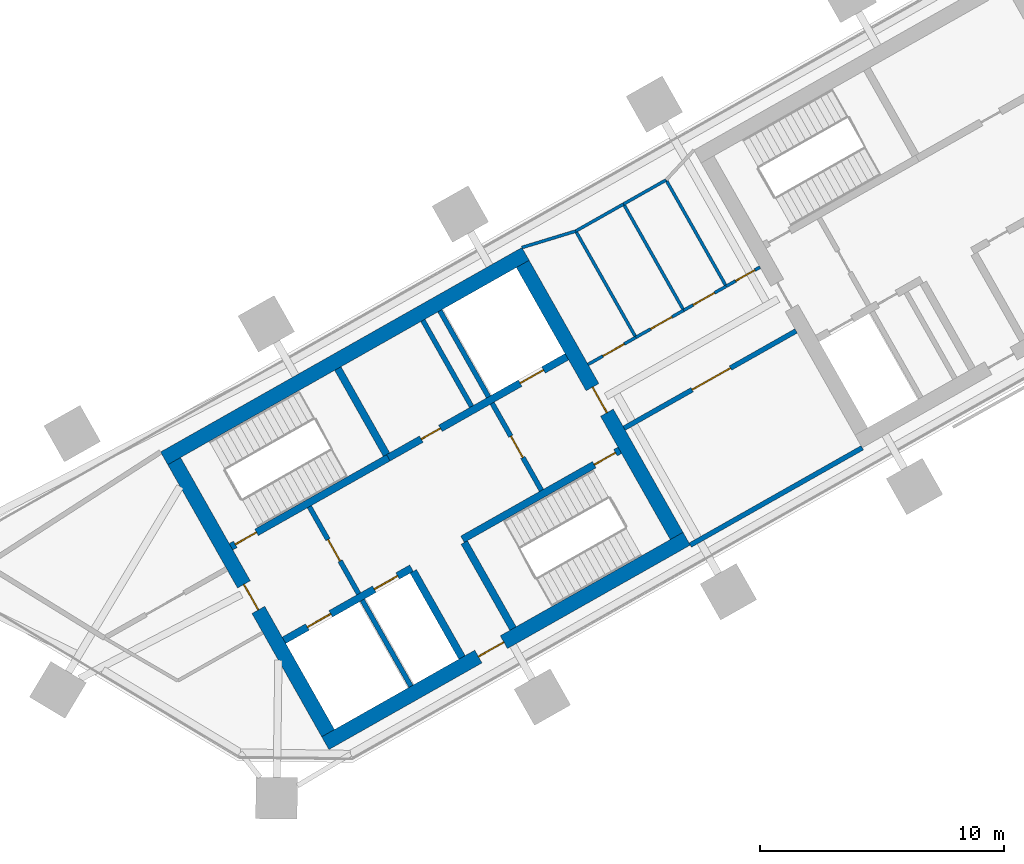
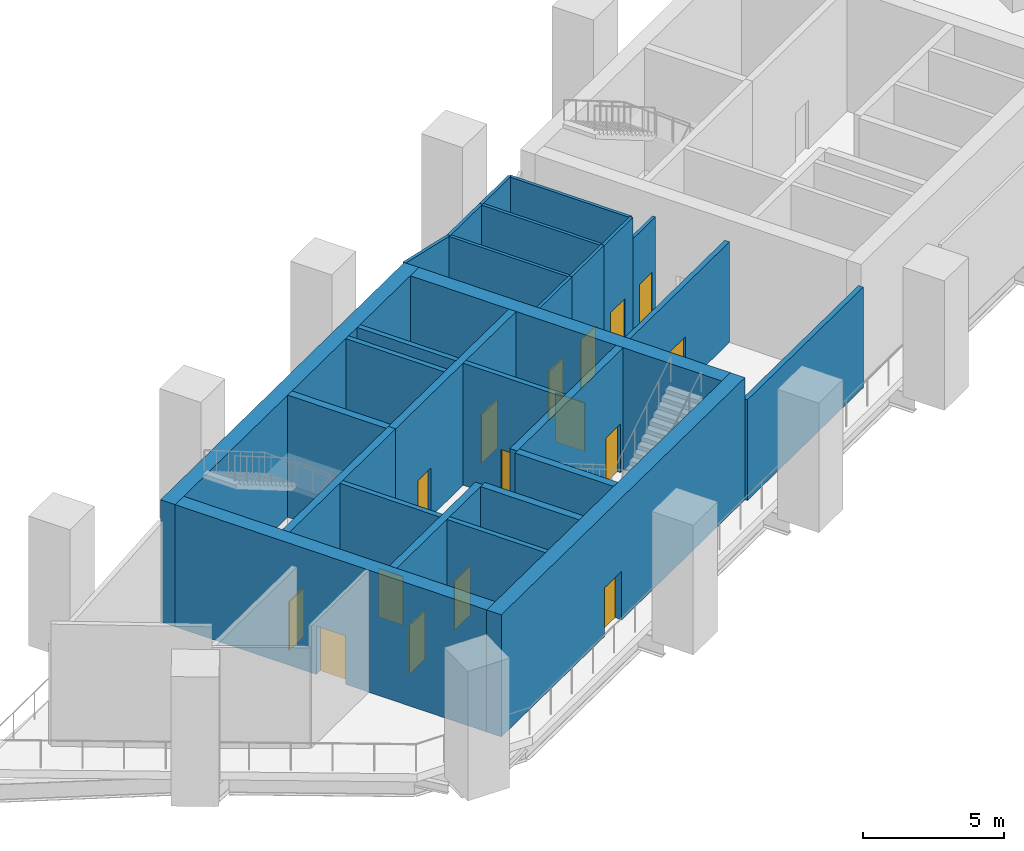
# One storey, part 4 of 11: 28 walls, 16 doors, 16 openings.
"""IFC4 building model written with IfcOpenShell, lengths in metres."""

from ifc_helpers import new_model, si_unit, direction, frame, frame_2d, origin, place, context, subcontext, project, spatial, rectangle, extrude, material, layer, layer_set, type_object, element, fill, save


model = new_model("IFC4")

# Units and contexts
model_context = context("Model", 3, precision=1e-05, world=origin(), true_north=direction((0.0, 1.0)))
body_context = subcontext(model_context, "Body", "Model", "MODEL_VIEW")
ifc_project = project(units=[si_unit("LENGTHUNIT", "METRE"), si_unit("AREAUNIT", "SQUARE_METRE"), si_unit("VOLUMEUNIT", "CUBIC_METRE"), si_unit("PLANEANGLEUNIT", "RADIAN"), si_unit("MASSUNIT", "GRAM", prefix="KILO")], contexts=[model_context])

# Site, building, storey
site_placement = place(None, origin())
site = spatial("IfcSite", under=ifc_project, at=site_placement, CompositionType="ELEMENT")
building_placement = place(site_placement, origin())
building = spatial("IfcBuilding", under=site, at=building_placement, Name="Binnacle Exchange Tower", CompositionType="ELEMENT")
storey_placement = place(building_placement, frame((0.0, 0.0, 91.5)))
storey = spatial("IfcBuildingStorey", under=building, at=storey_placement, Name="L18", CompositionType="ELEMENT", Elevation=91.5)

# Wall, openings, doors
ifc_material_1 = material(Name="Concrete C70/85", Category="concrete")
ifc_layer_1 = layer(ifc_material_1, 0.300048828125)
ifc_layer_set_1 = layer_set([ifc_layer_1], Name="Core wall - front 300")
wall_type_1 = type_object("IfcWallType", Name="Core wall - front 300", PredefinedType="SOLIDWALL", material=ifc_layer_set_1)
wall_1_placement = place(storey_placement, frame((-41.555908203125, 33.9609375, 0.0), z_axis=(0.0, 0.0, 1.0), x_axis=(0.870343731308, 0.492444706919, 0.0)))
wall_1 = element("IfcWall", 1, at=wall_1_placement, inside=storey, type_object=wall_type_1, Name="Core wall CRWA2", PredefinedType="SOLIDWALL", context=body_context, shape_type="SweptSolid", body=[
    extrude(rectangle(XDim=5.999755859375, YDim=0.300048828125, at=frame_2d((3.0, 0.0))), origin(), (0.0, 0.0, 1.0), 5.280029296875),
])
opening_1_placement = place(wall_1_placement, frame((1.099853515625, 0.0, 0.0)))
opening_1 = element("IfcOpeningElement", 2, at=opening_1_placement, cuts=wall_1, Name="Opening LD12", PredefinedType="OPENING", context=body_context, shape_type="SweptSolid", body=[
    extrude(rectangle(XDim=1.10009765625, YDim=2.10009765625, at=frame_2d((0.550048828125, 1.050048828125))), frame((0.0, 0.159912109375, 0.0), z_axis=(0.0, -1.0, 0.0), x_axis=(1.0, 0.0, 0.0)), (0.0, 0.0, 1.0), 0.320068359375),
])
opening_2_placement = place(wall_1_placement, frame((4.25, 0.0, 0.0)))
opening_2 = element("IfcOpeningElement", 3, at=opening_2_placement, cuts=wall_1, Name="Opening LD8", PredefinedType="OPENING", context=body_context, shape_type="SweptSolid", body=[
    extrude(rectangle(XDim=1.10009765625, YDim=2.10009765625, at=frame_2d((0.550048828125, 1.050048828125))), frame((0.0, 0.159912109375, 0.0), z_axis=(0.0, -1.0, 0.0), x_axis=(1.0, 0.0, 0.0)), (0.0, 0.0, 1.0), 0.320068359375),
])
ifc_material_2 = material(Name="Steel door leaf", Category="steel")
door_type_1 = type_object("IfcDoorType", Name="Fire door - lift landing 1100", OperationType="NOTDEFINED", PredefinedType="DOOR", material=ifc_material_2)
door_1_placement = place(opening_1_placement, origin())
door_1 = element("IfcDoor", 4, at=door_1_placement, inside=storey, type_object=door_type_1, Name="Landing door LD12 L18", OperationType="DOUBLE_DOOR_SLIDING", OverallHeight=2.10009765625, OverallWidth=1.10009765625, PredefinedType="DOOR", context=body_context, shape_type="SweptSolid", body=[
    extrude(rectangle(XDim=1.10009765625, YDim=2.10009765625, at=frame_2d((0.550048828125, 1.050048828125))), frame((0.0, 0.02490234375, 0.0), z_axis=(0.0, -1.0, 0.0), x_axis=(1.0, 0.0, 0.0)), (0.0, 0.0, 1.0), 0.050048828125),
])
fill(opening_1, door_1)
door_2_placement = place(opening_2_placement, origin())
door_2 = element("IfcDoor", 5, at=door_2_placement, inside=storey, type_object=door_type_1, Name="Landing door LD8 L18", OperationType="DOUBLE_DOOR_SLIDING", OverallHeight=2.10009765625, OverallWidth=1.10009765625, PredefinedType="DOOR", context=body_context, shape_type="SweptSolid", body=[
    extrude(rectangle(XDim=1.10009765625, YDim=2.10009765625, at=frame_2d((0.550048828125, 1.050048828125))), frame((0.0, 0.02490234375, 0.0), z_axis=(0.0, -1.0, 0.0), x_axis=(1.0, 0.0, 0.0)), (0.0, 0.0, 1.0), 0.050048828125),
])
fill(opening_2, door_2)

wall_2_placement = place(storey_placement, frame((-37.281982421875, 41.4345703125, 0.0), z_axis=(0.0, 0.0, 1.0), x_axis=(0.870356516133, 0.492422110414, 0.0)))
wall_2 = element("IfcWall", 6, at=wall_2_placement, inside=storey, type_object=wall_type_1, Name="Core wall CRWA5", PredefinedType="SOLIDWALL", context=body_context, shape_type="SweptSolid", body=[
    extrude(rectangle(XDim=8.399658203125, YDim=0.300048828125, at=frame_2d((4.19970703125, 0.0))), origin(), (0.0, 0.0, 1.0), 5.280029296875),
])
opening_3_placement = place(wall_2_placement, frame((6.199951171875, 0.0, 0.0)))
opening_3 = element("IfcOpeningElement", 7, at=opening_3_placement, cuts=wall_2, Name="Opening LD13", PredefinedType="OPENING", context=body_context, shape_type="SweptSolid", body=[
    extrude(rectangle(XDim=1.10009765625, YDim=2.10009765625, at=frame_2d((0.550048828125, 1.050048828125))), frame((0.0, 0.159912109375, 0.0), z_axis=(0.0, -1.0, 0.0), x_axis=(1.0, 0.0, 0.0)), (0.0, 0.0, 1.0), 0.320068359375),
])
opening_4_placement = place(wall_2_placement, frame((1.550048828125, 0.0, 0.0)))
opening_4 = element("IfcOpeningElement", 8, at=opening_4_placement, cuts=wall_2, Name="Opening DA10", PredefinedType="OPENING", context=body_context, shape_type="SweptSolid", body=[
    extrude(rectangle(XDim=0.89990234375, YDim=2.10009765625, at=frame_2d((0.449951171875, 1.050048828125))), frame((0.0, 0.159912109375, 0.0), z_axis=(0.0, -1.0, 0.0), x_axis=(1.0, 0.0, 0.0)), (0.0, 0.0, 1.0), 0.320068359375),
])
door_3_placement = place(opening_3_placement, origin())
door_3 = element("IfcDoor", 9, at=door_3_placement, inside=storey, type_object=door_type_1, Name="Landing door LD13 L18", OperationType="DOUBLE_DOOR_SLIDING", OverallHeight=2.10009765625, OverallWidth=1.10009765625, PredefinedType="DOOR", context=body_context, shape_type="SweptSolid", body=[
    extrude(rectangle(XDim=1.10009765625, YDim=2.10009765625, at=frame_2d((0.550048828125, 1.050048828125))), frame((0.0, 0.02490234375, 0.0), z_axis=(0.0, -1.0, 0.0), x_axis=(1.0, 0.0, 0.0)), (0.0, 0.0, 1.0), 0.050048828125),
])
fill(opening_3, door_3)
door_type_2 = type_object("IfcDoorType", Name="Fire door 900", OperationType="NOTDEFINED", PredefinedType="DOOR", material=ifc_material_2)
door_4_placement = place(opening_4_placement, origin())
door_4 = element("IfcDoor", 10, at=door_4_placement, inside=storey, type_object=door_type_2, Name="Core room door LINEN AND SUPPLIES STORE", OperationType="SINGLE_SWING_LEFT", OverallHeight=2.10009765625, OverallWidth=0.89990234375, PredefinedType="DOOR", context=body_context, shape_type="SweptSolid", body=[
    extrude(rectangle(XDim=0.89990234375, YDim=2.10009765625, at=frame_2d((0.449951171875, 1.050048828125))), frame((0.0, 0.02490234375, 0.0), z_axis=(0.0, -1.0, 0.0), x_axis=(1.0, 0.0, 0.0)), (0.0, 0.0, 1.0), 0.050048828125),
])
fill(opening_4, door_4)

# Wall
wall_3_placement = place(storey_placement, frame((-36.260009765625, 36.784912109375, 0.0), z_axis=(0.0, 0.0, 1.0), x_axis=(0.492440575896, -0.870346068648, 0.0)))
element("IfcWall", 11, at=wall_3_placement, inside=storey, type_object=wall_type_1, Name="Core wall CRWA13", PredefinedType="SOLIDWALL", context=body_context, shape_type="SweptSolid", body=[
    extrude(rectangle(XDim=4.050048828125, YDim=0.300048828125, at=frame_2d((2.02490234375, 0.0))), origin(), (0.0, 0.0, 1.0), 5.280029296875),
])

# Wall, opening, door
ifc_layer_2 = layer(ifc_material_1, 0.60009765625)
ifc_layer_set_2 = layer_set([ifc_layer_2], Name="Core wall - outer 600")
wall_type_2 = type_object("IfcWallType", Name="Core wall - outer 600", PredefinedType="SOLIDWALL", material=ifc_layer_set_2)
wall_4_placement = place(storey_placement, frame((-39.8623046875, 29.748779296875, 0.0), z_axis=(0.0, 0.0, 1.0), x_axis=(0.870350116061, 0.492433422375, 0.0)))
wall_4 = element("IfcWall", 12, at=wall_4_placement, inside=storey, type_object=wall_type_2, Name="Core wall CRWA1", PredefinedType="SOLIDWALL", context=body_context, shape_type="SweptSolid", body=[
    extrude(rectangle(XDim=17.0, YDim=0.60009765625, at=frame_2d((8.5, 0.0))), origin(), (0.0, 0.0, 1.0), 5.280029296875),
])
opening_5_placement = place(wall_4_placement, frame((7.199951171875, 0.0, 0.0)))
opening_5 = element("IfcOpeningElement", 13, at=opening_5_placement, cuts=wall_4, Name="Opening DA7", PredefinedType="OPENING", context=body_context, shape_type="SweptSolid", body=[
    extrude(rectangle(XDim=1.199951171875, YDim=2.10009765625, at=frame_2d((0.60009765625, 1.050048828125))), frame((0.0, 0.31005859375, 0.0), z_axis=(0.0, -1.0, 0.0), x_axis=(1.0, 0.0, 0.0)), (0.0, 0.0, 1.0), 0.6201171875),
])
door_type_3 = type_object("IfcDoorType", Name="Fire door 1200", OperationType="NOTDEFINED", PredefinedType="DOOR", material=ifc_material_2)
door_5_placement = place(opening_5_placement, frame((1.199951171875, 0.0, 0.0), z_axis=(0.0, 0.0, 1.0), x_axis=(-1.0, 0.0, 0.0)))
door_5 = element("IfcDoor", 14, at=door_5_placement, inside=storey, type_object=door_type_3, Name="Lift lobby entrance door core A", OperationType="SINGLE_SWING_RIGHT", OverallHeight=2.10009765625, OverallWidth=1.199951171875, PredefinedType="DOOR", context=body_context, shape_type="SweptSolid", body=[
    extrude(rectangle(XDim=1.199951171875, YDim=2.10009765625, at=frame_2d((0.60009765625, 1.050048828125))), frame((0.0, 0.02490234375, 0.0), z_axis=(0.0, -1.0, 0.0), x_axis=(1.0, 0.0, 0.0)), (0.0, 0.0, 1.0), 0.050048828125),
])
fill(opening_5, door_5)

# Wall
wall_5_placement = place(storey_placement, frame((-46.460693359375, 41.41162109375, 0.0), z_axis=(0.0, 0.0, 1.0), x_axis=(0.870350116061, 0.492433422375, 0.0)))
element("IfcWall", 15, at=wall_5_placement, inside=storey, type_object=wall_type_2, Name="Core wall CRWA6", PredefinedType="SOLIDWALL", context=body_context, shape_type="SweptSolid", body=[
    extrude(rectangle(XDim=17.0, YDim=0.60009765625, at=frame_2d((8.5, 0.0))), origin(), (0.0, 0.0, 1.0), 5.280029296875),
])

# Wall, opening, door
wall_6_placement = place(storey_placement, frame((-46.052001953125, 41.29833984375, 0.0), z_axis=(0.0, 0.0, 1.0), x_axis=(0.492418598281, -0.870358503186, 0.0)))
wall_6 = element("IfcWall", 16, at=wall_6_placement, inside=storey, type_object=wall_type_2, Name="Core wall CRWA7", PredefinedType="SOLIDWALL", context=body_context, shape_type="SweptSolid", body=[
    extrude(rectangle(XDim=12.800048828125, YDim=0.60009765625, at=frame_2d((6.39990234375, 0.0))), origin(), (0.0, 0.0, 1.0), 5.280029296875),
])
opening_6_placement = place(wall_6_placement, frame((5.800048828125, 0.0, 0.0)))
opening_6 = element("IfcOpeningElement", 17, at=opening_6_placement, cuts=wall_6, Name="Opening DA5", PredefinedType="OPENING", context=body_context, shape_type="SweptSolid", body=[
    extrude(rectangle(XDim=1.199951171875, YDim=2.10009765625, at=frame_2d((0.60009765625, 1.050048828125))), frame((0.0, 0.31005859375, 0.0), z_axis=(0.0, -1.0, 0.0), x_axis=(1.0, 0.0, 0.0)), (0.0, 0.0, 1.0), 0.6201171875),
])
door_6_placement = place(opening_6_placement, frame((1.199951171875, 0.0, 0.0), z_axis=(0.0, 0.0, 1.0), x_axis=(-1.0, 0.0, 0.0)))
door_6 = element("IfcDoor", 18, at=door_6_placement, inside=storey, type_object=door_type_3, Name="Vestibule exit door VEST-W", OperationType="SINGLE_SWING_LEFT", OverallHeight=2.10009765625, OverallWidth=1.199951171875, PredefinedType="DOOR", context=body_context, shape_type="SweptSolid", body=[
    extrude(rectangle(XDim=1.199951171875, YDim=2.10009765625, at=frame_2d((0.60009765625, 1.050048828125))), frame((0.0, 0.02490234375, 0.0), z_axis=(0.0, -1.0, 0.0), x_axis=(1.0, 0.0, 0.0)), (0.0, 0.0, 1.0), 0.050048828125),
])
fill(opening_6, door_6)

wall_7_placement = place(storey_placement, frame((-31.7783203125, 49.3740234375, 0.0), z_axis=(0.0, 0.0, 1.0), x_axis=(0.492433046652, -0.870350328641, 0.0)))
wall_7 = element("IfcWall", 19, at=wall_7_placement, inside=storey, type_object=wall_type_2, Name="Core wall CRWA22", PredefinedType="SOLIDWALL", context=body_context, shape_type="SweptSolid", body=[
    extrude(rectangle(XDim=12.800048828125, YDim=0.60009765625, at=frame_2d((6.39990234375, 0.0))), origin(), (0.0, 0.0, 1.0), 5.280029296875),
])
opening_7_placement = place(wall_7_placement, frame((5.800048828125, 0.0, 0.0)))
opening_7 = element("IfcOpeningElement", 20, at=opening_7_placement, cuts=wall_7, Name="Opening DA6", PredefinedType="OPENING", context=body_context, shape_type="SweptSolid", body=[
    extrude(rectangle(XDim=1.199951171875, YDim=2.10009765625, at=frame_2d((0.60009765625, 1.050048828125))), frame((0.0, 0.31005859375, 0.0), z_axis=(0.0, -1.0, 0.0), x_axis=(1.0, 0.0, 0.0)), (0.0, 0.0, 1.0), 0.6201171875),
])
door_7_placement = place(opening_7_placement, origin())
door_7 = element("IfcDoor", 21, at=door_7_placement, inside=storey, type_object=door_type_3, Name="Vestibule exit door VEST-E", OperationType="SINGLE_SWING_RIGHT", OverallHeight=2.10009765625, OverallWidth=1.199951171875, PredefinedType="DOOR", context=body_context, shape_type="SweptSolid", body=[
    extrude(rectangle(XDim=1.199951171875, YDim=2.10009765625, at=frame_2d((0.60009765625, 1.050048828125))), frame((0.0, 0.02490234375, 0.0), z_axis=(0.0, -1.0, 0.0), x_axis=(1.0, 0.0, 0.0)), (0.0, 0.0, 1.0), 0.050048828125),
])
fill(opening_7, door_7)

ifc_layer_3 = layer(ifc_material_1, 0.300048828125)
ifc_layer_set_3 = layer_set([ifc_layer_3], Name="Core wall - stair 300")
wall_type_3 = type_object("IfcWallType", Name="Core wall - stair 300", PredefinedType="SOLIDWALL", material=ifc_layer_set_3)
wall_8_placement = place(storey_placement, frame((-34.2451171875, 38.097412109375, 0.0), z_axis=(0.0, 0.0, 1.0), x_axis=(0.870364910201, 0.492407273597, 0.0)))
wall_8 = element("IfcWall", 22, at=wall_8_placement, inside=storey, type_object=wall_type_3, Name="Core wall CRWA3", PredefinedType="SOLIDWALL", context=body_context, shape_type="SweptSolid", body=[
    extrude(rectangle(XDim=7.39990234375, YDim=0.300048828125, at=frame_2d((3.699951171875, 0.0))), origin(), (0.0, 0.0, 1.0), 5.280029296875),
])
opening_8_placement = place(wall_8_placement, frame((6.199951171875, 0.0, 0.0)))
opening_8 = element("IfcOpeningElement", 23, at=opening_8_placement, cuts=wall_8, Name="Opening DA2", PredefinedType="OPENING", context=body_context, shape_type="SweptSolid", body=[
    extrude(rectangle(XDim=1.0, YDim=2.10009765625, at=frame_2d((0.5, 1.050048828125))), frame((0.0, 0.159912109375, 0.0), z_axis=(0.0, -1.0, 0.0), x_axis=(1.0, 0.0, 0.0)), (0.0, 0.0, 1.0), 0.320068359375),
])
door_type_4 = type_object("IfcDoorType", Name="Fire door 1000", OperationType="NOTDEFINED", PredefinedType="DOOR", material=ifc_material_2)
door_8_placement = place(opening_8_placement, frame((1.0, 0.0, 0.0), z_axis=(0.0, 0.0, 1.0), x_axis=(-1.0, 0.0, 0.0)))
door_8 = element("IfcDoor", 24, at=door_8_placement, inside=storey, type_object=door_type_4, Name="Stair door ST-A2", OperationType="SINGLE_SWING_LEFT", OverallHeight=2.10009765625, OverallWidth=1.0, PredefinedType="DOOR", context=body_context, shape_type="SweptSolid", body=[
    extrude(rectangle(XDim=1.0, YDim=2.10009765625, at=frame_2d((0.5, 1.050048828125))), frame((0.0, 0.02490234375, 0.0), z_axis=(0.0, -1.0, 0.0), x_axis=(1.0, 0.0, 0.0)), (0.0, 0.0, 1.0), 0.050048828125),
])
fill(opening_8, door_8)

wall_9_placement = place(storey_placement, frame((-43.72265625, 37.79052734375, 0.0), z_axis=(0.0, 0.0, 1.0), x_axis=(0.87035077051, 0.49243226567, 0.0)))
wall_9 = element("IfcWall", 25, at=wall_9_placement, inside=storey, type_object=wall_type_3, Name="Core wall CRWA4", PredefinedType="SOLIDWALL", context=body_context, shape_type="SweptSolid", body=[
    extrude(rectangle(XDim=7.400146484375, YDim=0.300048828125, at=frame_2d((3.7001953125, 0.0))), origin(), (0.0, 0.0, 1.0), 5.280029296875),
])
opening_9_placement = place(wall_9_placement, frame((0.199951171875, 0.0, 0.0)))
opening_9 = element("IfcOpeningElement", 26, at=opening_9_placement, cuts=wall_9, Name="Opening DA1", PredefinedType="OPENING", context=body_context, shape_type="SweptSolid", body=[
    extrude(rectangle(XDim=1.0, YDim=2.10009765625, at=frame_2d((0.5, 1.050048828125))), frame((0.0, 0.159912109375, 0.0), z_axis=(0.0, -1.0, 0.0), x_axis=(1.0, 0.0, 0.0)), (0.0, 0.0, 1.0), 0.320068359375),
])
door_9_placement = place(opening_9_placement, origin())
door_9 = element("IfcDoor", 27, at=door_9_placement, inside=storey, type_object=door_type_4, Name="Stair door ST-A1", OperationType="SINGLE_SWING_LEFT", OverallHeight=2.10009765625, OverallWidth=1.0, PredefinedType="DOOR", context=body_context, shape_type="SweptSolid", body=[
    extrude(rectangle(XDim=1.0, YDim=2.10009765625, at=frame_2d((0.5, 1.050048828125))), frame((0.0, 0.02490234375, 0.0), z_axis=(0.0, -1.0, 0.0), x_axis=(1.0, 0.0, 0.0)), (0.0, 0.0, 1.0), 0.050048828125),
])
fill(opening_9, door_9)

# Walls
wall_10_placement = place(storey_placement, frame((-39.350341796875, 45.090087890625, 0.0), z_axis=(0.0, 0.0, 1.0), x_axis=(0.49241474071, -0.870360685654, 0.0)))
element("IfcWall", 28, at=wall_10_placement, inside=storey, type_object=wall_type_3, Name="Core wall CRWA14", PredefinedType="SOLIDWALL", context=body_context, shape_type="SweptSolid", body=[
    extrude(rectangle(XDim=4.05029296875, YDim=0.300048828125, at=frame_2d((2.025146484375, 0.0))), origin(), (0.0, 0.0, 1.0), 5.280029296875),
])
wall_11_placement = place(storey_placement, frame((-34.171142578125, 37.966796875, 0.0), z_axis=(0.0, 0.0, 1.0), x_axis=(0.492394910396, -0.870371904542, 0.0)))
element("IfcWall", 29, at=wall_11_placement, inside=storey, type_object=wall_type_3, Name="Core wall CRWA16", PredefinedType="SOLIDWALL", context=body_context, shape_type="SweptSolid", body=[
    extrude(rectangle(XDim=4.0498046875, YDim=0.300048828125, at=frame_2d((2.02490234375, 0.0))), origin(), (0.0, 0.0, 1.0), 5.280029296875),
])

# Wall, opening, door
ifc_material_3 = material(Name="Masonry block wall", Category="masonry")
ifc_layer_4 = layer(ifc_material_3, 0.199951171875)
ifc_layer_set_4 = layer_set([ifc_layer_4], Name="Fire wall - block 200")
wall_type_4 = type_object("IfcWallType", Name="Fire wall - block 200", PredefinedType="PARTITIONING", material=ifc_layer_set_4)
wall_12_placement = place(storey_placement, frame((-27.626953125, 42.64599609375, 0.0), z_axis=(0.0, 0.0, 1.0), x_axis=(0.870370568162, 0.492397272614, 0.0)))
wall_12 = element("IfcWall", 30, at=wall_12_placement, inside=storey, type_object=wall_type_4, Name="Partition W12", PredefinedType="PARTITIONING", context=body_context, shape_type="SweptSolid", body=[
    extrude(rectangle(XDim=8.0908203125, YDim=0.199951171875, at=frame_2d((4.04541015625, 0.0))), origin(), (0.0, 0.0, 1.0), 4.347900390625),
])
opening_10_placement = place(wall_12_placement, frame((3.199951171875, 0.0, 0.0)))
opening_10 = element("IfcOpeningElement", 31, at=opening_10_placement, cuts=wall_12, Name="Opening DL18-06", PredefinedType="OPENING", context=body_context, shape_type="SweptSolid", body=[
    extrude(rectangle(XDim=1.800048828125, YDim=2.10009765625, at=frame_2d((0.89990234375, 1.050048828125))), frame((0.0, 0.10986328125, 0.0), z_axis=(0.0, -1.0, 0.0), x_axis=(1.0, 0.0, 0.0)), (0.0, 0.0, 1.0), 0.219970703125),
])
door_type_5 = type_object("IfcDoorType", Name="Fire door 1800", OperationType="NOTDEFINED", PredefinedType="DOOR", material=ifc_material_2)
door_10_placement = place(opening_10_placement, frame((1.800048828125, 0.0, 0.0), z_axis=(0.0, 0.0, 1.0), x_axis=(-1.0, 0.0, 0.0)))
door_10 = element("IfcDoor", 32, at=door_10_placement, inside=storey, type_object=door_type_5, Name="Door DL18-06", OperationType="DOUBLE_DOOR_SINGLE_SWING", OverallHeight=2.10009765625, OverallWidth=1.800048828125, PredefinedType="DOOR", context=body_context, shape_type="SweptSolid", body=[
    extrude(rectangle(XDim=1.800048828125, YDim=2.10009765625, at=frame_2d((0.89990234375, 1.050048828125))), frame((0.0, 0.02490234375, 0.0), z_axis=(0.0, -1.0, 0.0), x_axis=(1.0, 0.0, 0.0)), (0.0, 0.0, 1.0), 0.050048828125),
])
fill(opening_10, door_10)

# Wall
wall_13_placement = place(storey_placement, frame((-24.9189453125, 37.85888671875, 0.0), z_axis=(0.0, 0.0, 1.0), x_axis=(0.870357635969, 0.492420131098, 0.0)))
element("IfcWall", 33, at=wall_13_placement, inside=storey, type_object=wall_type_4, Name="Partition W17", PredefinedType="PARTITIONING", context=body_context, shape_type="SweptSolid", body=[
    extrude(rectangle(XDim=8.0908203125, YDim=0.199951171875, at=frame_2d((4.04541015625, 0.0))), origin(), (0.0, 0.0, 1.0), 4.347900390625),
])

# Wall, opening, door
ifc_layer_5 = layer(ifc_material_3, 0.199951171875)
ifc_layer_set_5 = layer_set([ifc_layer_5], Name="Fire wall - vestibule 200")
wall_type_5 = type_object("IfcWallType", Name="Fire wall - vestibule 200", PredefinedType="PARTITIONING", material=ifc_layer_set_5)
wall_14_placement = place(storey_placement, frame((-40.515625, 39.4326171875, 0.0), z_axis=(0.0, 0.0, 1.0), x_axis=(0.492453559952, -0.87033872216, 0.0)))
wall_14 = element("IfcWall", 34, at=wall_14_placement, inside=storey, type_object=wall_type_5, Name="Core wall CRWA10", PredefinedType="PARTITIONING", context=body_context, shape_type="SweptSolid", body=[
    extrude(rectangle(XDim=4.099853515625, YDim=0.199951171875, at=frame_2d((2.0498046875, 0.0))), origin(), (0.0, 0.0, 1.0), 5.280029296875),
])
opening_11_placement = place(wall_14_placement, frame((1.550048828125, 0.0, 0.0)))
opening_11 = element("IfcOpeningElement", 35, at=opening_11_placement, cuts=wall_14, Name="Opening DA3", PredefinedType="OPENING", context=body_context, shape_type="SweptSolid", body=[
    extrude(rectangle(XDim=1.0, YDim=2.10009765625, at=frame_2d((0.5, 1.050048828125))), frame((0.0, 0.10986328125, 0.0), z_axis=(0.0, -1.0, 0.0), x_axis=(1.0, 0.0, 0.0)), (0.0, 0.0, 1.0), 0.219970703125),
])
door_11_placement = place(opening_11_placement, frame((1.0, 0.0, 0.0), z_axis=(0.0, 0.0, 1.0), x_axis=(-1.0, 0.0, 0.0)))
door_11 = element("IfcDoor", 36, at=door_11_placement, inside=storey, type_object=door_type_4, Name="Vestibule door VEST-W", OperationType="SINGLE_SWING_LEFT", OverallHeight=2.10009765625, OverallWidth=1.0, PredefinedType="DOOR", context=body_context, shape_type="SweptSolid", body=[
    extrude(rectangle(XDim=1.0, YDim=2.10009765625, at=frame_2d((0.5, 1.050048828125))), frame((0.0, 0.02490234375, 0.0), z_axis=(0.0, -1.0, 0.0), x_axis=(1.0, 0.0, 0.0)), (0.0, 0.0, 1.0), 0.050048828125),
])
fill(opening_11, door_11)

wall_15_placement = place(storey_placement, frame((-33.030517578125, 43.66748046875, 0.0), z_axis=(0.0, 0.0, 1.0), x_axis=(0.492408451753, -0.87036424366, 0.0)))
wall_15 = element("IfcWall", 37, at=wall_15_placement, inside=storey, type_object=wall_type_5, Name="Core wall CRWA19", PredefinedType="PARTITIONING", context=body_context, shape_type="SweptSolid", body=[
    extrude(rectangle(XDim=4.099853515625, YDim=0.199951171875, at=frame_2d((2.0498046875, 0.0))), origin(), (0.0, 0.0, 1.0), 5.280029296875),
])
opening_12_placement = place(wall_15_placement, frame((1.550048828125, 0.0, 0.0)))
opening_12 = element("IfcOpeningElement", 38, at=opening_12_placement, cuts=wall_15, Name="Opening DA4", PredefinedType="OPENING", context=body_context, shape_type="SweptSolid", body=[
    extrude(rectangle(XDim=1.0, YDim=2.10009765625, at=frame_2d((0.5, 1.050048828125))), frame((0.0, 0.10986328125, 0.0), z_axis=(0.0, -1.0, 0.0), x_axis=(1.0, 0.0, 0.0)), (0.0, 0.0, 1.0), 0.219970703125),
])
door_12_placement = place(opening_12_placement, origin())
door_12 = element("IfcDoor", 39, at=door_12_placement, inside=storey, type_object=door_type_4, Name="Vestibule door VEST-E", OperationType="SINGLE_SWING_RIGHT", OverallHeight=2.10009765625, OverallWidth=1.0, PredefinedType="DOOR", context=body_context, shape_type="SweptSolid", body=[
    extrude(rectangle(XDim=1.0, YDim=2.10009765625, at=frame_2d((0.5, 1.050048828125))), frame((0.0, 0.02490234375, 0.0), z_axis=(0.0, -1.0, 0.0), x_axis=(1.0, 0.0, 0.0)), (0.0, 0.0, 1.0), 0.050048828125),
])
fill(opening_12, door_12)

# Walls
ifc_material_4 = material(Name="Gypsum partition")
ifc_layer_6 = layer(ifc_material_4, 0.125)
ifc_layer_set_6 = layer_set([ifc_layer_6], Name="Partition 125")
wall_type_6 = type_object("IfcWallType", Name="Partition 125", PredefinedType="PARTITIONING", material=ifc_layer_set_6)
wall_16_placement = place(storey_placement, frame((-31.81201171875, 50.0439453125, 0.0), z_axis=(0.0, 0.0, 1.0), x_axis=(0.956397612161, 0.292067813107, 0.0)))
element("IfcWall", 40, at=wall_16_placement, inside=storey, type_object=wall_type_6, Name="Partition W06", PredefinedType="PARTITIONING", context=body_context, shape_type="SweptSolid", body=[
    extrude(rectangle(XDim=2.3046875, YDim=0.125, at=frame_2d((1.15234375, 0.0))), origin(), (0.0, 0.0, 1.0), 5.280029296875),
])
wall_17_placement = place(storey_placement, frame((-29.60791015625, 50.717041015625, 0.0), z_axis=(0.0, 0.0, 1.0), x_axis=(0.870332332106, 0.492464853254, 0.0)))
element("IfcWall", 41, at=wall_17_placement, inside=storey, type_object=wall_type_6, Name="Partition W07", PredefinedType="PARTITIONING", context=body_context, shape_type="SweptSolid", body=[
    extrude(rectangle(XDim=2.249755859375, YDim=0.125, at=frame_2d((1.125, 0.0))), origin(), (0.0, 0.0, 1.0), 5.280029296875),
])
wall_18_placement = place(storey_placement, frame((-29.60791015625, 50.717041015625, 0.0), z_axis=(0.0, 0.0, 1.0), x_axis=(0.492369352746, -0.870386362759, 0.0)))
element("IfcWall", 42, at=wall_18_placement, inside=storey, type_object=wall_type_6, Name="Partition W08", PredefinedType="PARTITIONING", context=body_context, shape_type="SweptSolid", body=[
    extrude(rectangle(XDim=5.000244140625, YDim=0.125, at=frame_2d((2.5, 0.0))), origin(), (0.0, 0.0, 1.0), 5.280029296875),
])

# Wall, opening, door
wall_19_placement = place(storey_placement, frame((-29.10400390625, 45.257080078125, 0.0), z_axis=(0.0, 0.0, 1.0), x_axis=(0.870332332106, 0.492464853254, 0.0)))
wall_19 = element("IfcWall", 43, at=wall_19_placement, inside=storey, type_object=wall_type_6, Name="Partition W09", PredefinedType="PARTITIONING", context=body_context, shape_type="SweptSolid", body=[
    extrude(rectangle(XDim=2.249755859375, YDim=0.125, at=frame_2d((1.125, 0.0))), origin(), (0.0, 0.0, 1.0), 5.280029296875),
])
opening_13_placement = place(wall_19_placement, frame((0.699951171875, 0.0, 0.0)))
opening_13 = element("IfcOpeningElement", 44, at=opening_13_placement, cuts=wall_19, Name="Opening DL18-02", PredefinedType="OPENING", context=body_context, shape_type="SweptSolid", body=[
    extrude(rectangle(XDim=1.0, YDim=2.10009765625, at=frame_2d((0.5, 1.050048828125))), frame((0.0, 0.072509765625, 0.0), z_axis=(0.0, -1.0, 0.0), x_axis=(1.0, 0.0, 0.0)), (0.0, 0.0, 1.0), 0.14501953125),
])
ifc_material_5 = material(Name="Timber door leaf", Category="wood")
door_type_6 = type_object("IfcDoorType", Name="Door 1000", OperationType="NOTDEFINED", PredefinedType="DOOR", material=ifc_material_5)
door_13_placement = place(opening_13_placement, origin())
door_13 = element("IfcDoor", 45, at=door_13_placement, inside=storey, type_object=door_type_6, Name="Door DL18-02", OperationType="SINGLE_SWING_RIGHT", OverallHeight=2.10009765625, OverallWidth=1.0, PredefinedType="DOOR", context=body_context, shape_type="SweptSolid", body=[
    extrude(rectangle(XDim=1.0, YDim=2.10009765625, at=frame_2d((0.5, 1.050048828125))), frame((0.0, 0.02490234375, 0.0), z_axis=(0.0, -1.0, 0.0), x_axis=(1.0, 0.0, 0.0)), (0.0, 0.0, 1.0), 0.050048828125),
])
fill(opening_13, door_13)

# Walls
wall_20_placement = place(storey_placement, frame((-27.64990234375, 51.824951171875, 0.0), z_axis=(0.0, 0.0, 1.0), x_axis=(0.870330884088, 0.492467412326, 0.0)))
element("IfcWall", 46, at=wall_20_placement, inside=storey, type_object=wall_type_6, Name="Partition W10", PredefinedType="PARTITIONING", context=body_context, shape_type="SweptSolid", body=[
    extrude(rectangle(XDim=2.000244140625, YDim=0.125, at=frame_2d((1.0, 0.0))), origin(), (0.0, 0.0, 1.0), 5.280029296875),
])
wall_21_placement = place(storey_placement, frame((-27.64990234375, 51.824951171875, 0.0), z_axis=(0.0, 0.0, 1.0), x_axis=(0.492369352746, -0.870386362759, 0.0)))
element("IfcWall", 47, at=wall_21_placement, inside=storey, type_object=wall_type_6, Name="Partition W11", PredefinedType="PARTITIONING", context=body_context, shape_type="SweptSolid", body=[
    extrude(rectangle(XDim=5.000244140625, YDim=0.125, at=frame_2d((2.5, 0.0))), origin(), (0.0, 0.0, 1.0), 5.280029296875),
])

# Wall, opening, door
wall_22_placement = place(storey_placement, frame((-27.14599609375, 46.364990234375, 0.0), z_axis=(0.0, 0.0, 1.0), x_axis=(0.870332332106, 0.492464853254, 0.0)))
wall_22 = element("IfcWall", 48, at=wall_22_placement, inside=storey, type_object=wall_type_6, Name="Partition W13", PredefinedType="PARTITIONING", context=body_context, shape_type="SweptSolid", body=[
    extrude(rectangle(XDim=2.249755859375, YDim=0.125, at=frame_2d((1.125, 0.0))), origin(), (0.0, 0.0, 1.0), 5.280029296875),
])
opening_14_placement = place(wall_22_placement, frame((0.699951171875, 0.0, 0.0)))
opening_14 = element("IfcOpeningElement", 49, at=opening_14_placement, cuts=wall_22, Name="Opening DL18-03", PredefinedType="OPENING", context=body_context, shape_type="SweptSolid", body=[
    extrude(rectangle(XDim=1.0, YDim=2.10009765625, at=frame_2d((0.5, 1.050048828125))), frame((0.0, 0.072509765625, 0.0), z_axis=(0.0, -1.0, 0.0), x_axis=(1.0, 0.0, 0.0)), (0.0, 0.0, 1.0), 0.14501953125),
])
door_14_placement = place(opening_14_placement, origin())
door_14 = element("IfcDoor", 50, at=door_14_placement, inside=storey, type_object=door_type_6, Name="Door DL18-03", OperationType="SINGLE_SWING_RIGHT", OverallHeight=2.10009765625, OverallWidth=1.0, PredefinedType="DOOR", context=body_context, shape_type="SweptSolid", body=[
    extrude(rectangle(XDim=1.0, YDim=2.10009765625, at=frame_2d((0.5, 1.050048828125))), frame((0.0, 0.02490234375, 0.0), z_axis=(0.0, -1.0, 0.0), x_axis=(1.0, 0.0, 0.0)), (0.0, 0.0, 1.0), 0.050048828125),
])
fill(opening_14, door_14)

# Wall
wall_23_placement = place(storey_placement, frame((-25.908935546875, 52.81005859375, 0.0), z_axis=(0.0, 0.0, 1.0), x_axis=(0.492369352746, -0.870386362759, 0.0)))
element("IfcWall", 51, at=wall_23_placement, inside=storey, type_object=wall_type_6, Name="Partition W15", PredefinedType="PARTITIONING", context=body_context, shape_type="SweptSolid", body=[
    extrude(rectangle(XDim=5.000244140625, YDim=0.125, at=frame_2d((2.5, 0.0))), origin(), (0.0, 0.0, 1.0), 5.280029296875),
])

# Wall, opening, door
wall_24_placement = place(storey_placement, frame((-25.18798828125, 47.472900390625, 0.0), z_axis=(0.0, 0.0, 1.0), x_axis=(0.870330884088, 0.492467412326, 0.0)))
wall_24 = element("IfcWall", 52, at=wall_24_placement, inside=storey, type_object=wall_type_6, Name="Partition W16", PredefinedType="PARTITIONING", context=body_context, shape_type="SweptSolid", body=[
    extrude(rectangle(XDim=2.000244140625, YDim=0.125, at=frame_2d((1.0, 0.0))), origin(), (0.0, 0.0, 1.0), 5.280029296875),
])
opening_15_placement = place(wall_24_placement, frame((0.449951171875, 0.0, 0.0)))
opening_15 = element("IfcOpeningElement", 53, at=opening_15_placement, cuts=wall_24, Name="Opening DL18-04", PredefinedType="OPENING", context=body_context, shape_type="SweptSolid", body=[
    extrude(rectangle(XDim=1.0, YDim=2.10009765625, at=frame_2d((0.5, 1.050048828125))), frame((0.0, 0.072509765625, 0.0), z_axis=(0.0, -1.0, 0.0), x_axis=(1.0, 0.0, 0.0)), (0.0, 0.0, 1.0), 0.14501953125),
])
door_15_placement = place(opening_15_placement, origin())
door_15 = element("IfcDoor", 54, at=door_15_placement, inside=storey, type_object=door_type_6, Name="Door DL18-04", OperationType="SINGLE_SWING_LEFT", OverallHeight=2.10009765625, OverallWidth=1.0, PredefinedType="DOOR", context=body_context, shape_type="SweptSolid", body=[
    extrude(rectangle(XDim=1.0, YDim=2.10009765625, at=frame_2d((0.5, 1.050048828125))), frame((0.0, 0.02490234375, 0.0), z_axis=(0.0, -1.0, 0.0), x_axis=(1.0, 0.0, 0.0)), (0.0, 0.0, 1.0), 0.050048828125),
])
fill(opening_15, door_15)

wall_25_placement = place(storey_placement, frame((-23.447021484375, 48.4580078125, 0.0), z_axis=(0.0, 0.0, 1.0), x_axis=(0.870528540927, 0.492117932443, 0.0)))
wall_25 = element("IfcWall", 55, at=wall_25_placement, inside=storey, type_object=wall_type_6, Name="Partition W18", PredefinedType="PARTITIONING", context=body_context, shape_type="SweptSolid", body=[
    extrude(rectangle(XDim=1.591064453125, YDim=0.125, at=frame_2d((0.79541015625, 0.0))), origin(), (0.0, 0.0, 1.0), 4.347900390625),
])
opening_16_placement = place(wall_25_placement, frame((0.449951171875, 0.0, 0.0)))
opening_16 = element("IfcOpeningElement", 56, at=opening_16_placement, cuts=wall_25, Name="Opening DL18-05", PredefinedType="OPENING", context=body_context, shape_type="SweptSolid", body=[
    extrude(rectangle(XDim=0.89990234375, YDim=2.10009765625, at=frame_2d((0.449951171875, 1.050048828125))), frame((0.0, 0.072509765625, 0.0), z_axis=(0.0, -1.0, 0.0), x_axis=(1.0, 0.0, 0.0)), (0.0, 0.0, 1.0), 0.14501953125),
])
door_type_7 = type_object("IfcDoorType", Name="Door 900", OperationType="NOTDEFINED", PredefinedType="DOOR", material=ifc_material_5)
door_16_placement = place(opening_16_placement, origin())
door_16 = element("IfcDoor", 57, at=door_16_placement, inside=storey, type_object=door_type_7, Name="Door DL18-05", OperationType="SINGLE_SWING_RIGHT", OverallHeight=2.10009765625, OverallWidth=0.89990234375, PredefinedType="DOOR", context=body_context, shape_type="SweptSolid", body=[
    extrude(rectangle(XDim=0.89990234375, YDim=2.10009765625, at=frame_2d((0.449951171875, 1.050048828125))), frame((0.0, 0.02490234375, 0.0), z_axis=(0.0, -1.0, 0.0), x_axis=(1.0, 0.0, 0.0)), (0.0, 0.0, 1.0), 0.050048828125),
])
fill(opening_16, door_16)

# Walls
ifc_layer_7 = layer(ifc_material_3, 0.199951171875)
ifc_layer_set_7 = layer_set([ifc_layer_7], Name="Riser wall 200")
wall_type_7 = type_object("IfcWallType", Name="Riser wall 200", PredefinedType="SOLIDWALL", material=ifc_layer_set_7)
wall_26_placement = place(storey_placement, frame((-35.868896484375, 47.059814453125, 0.0), z_axis=(0.0, 0.0, 1.0), x_axis=(0.49241474071, -0.870360685654, 0.0)))
element("IfcWall", 58, at=wall_26_placement, inside=storey, type_object=wall_type_7, Name="Core wall CRWA18", PredefinedType="SOLIDWALL", context=body_context, shape_type="SweptSolid", body=[
    extrude(rectangle(XDim=4.05029296875, YDim=0.199951171875, at=frame_2d((2.025146484375, 0.0))), origin(), (0.0, 0.0, 1.0), 5.280029296875),
])
wall_27_placement = place(storey_placement, frame((-35.172607421875, 47.45361328125, 0.0), z_axis=(0.0, 0.0, 1.0), x_axis=(0.492440575896, -0.870346068648, 0.0)))
element("IfcWall", 59, at=wall_27_placement, inside=storey, type_object=wall_type_7, Name="Core wall CRWA20", PredefinedType="SOLIDWALL", context=body_context, shape_type="SweptSolid", body=[
    extrude(rectangle(XDim=4.050048828125, YDim=0.199951171875, at=frame_2d((2.02490234375, 0.0))), origin(), (0.0, 0.0, 1.0), 5.280029296875),
])
ifc_layer_8 = layer(ifc_material_3, 0.199951171875)
ifc_layer_set_8 = layer_set([ifc_layer_8], Name="Shaft wall 200")
wall_type_8 = type_object("IfcWallType", Name="Shaft wall 200", PredefinedType="SOLIDWALL", material=ifc_layer_set_8)
wall_28_placement = place(storey_placement, frame((-38.348876953125, 35.603271484375, 0.0), z_axis=(0.0, 0.0, 1.0), x_axis=(0.49241474071, -0.870360685654, 0.0)))
element("IfcWall", 60, at=wall_28_placement, inside=storey, type_object=wall_type_8, Name="Core wall CRWA9", PredefinedType="SOLIDWALL", context=body_context, shape_type="SweptSolid", body=[
    extrude(rectangle(XDim=4.05029296875, YDim=0.199951171875, at=frame_2d((2.025146484375, 0.0))), origin(), (0.0, 0.0, 1.0), 5.280029296875),
])

save(model, "model.ifc")
